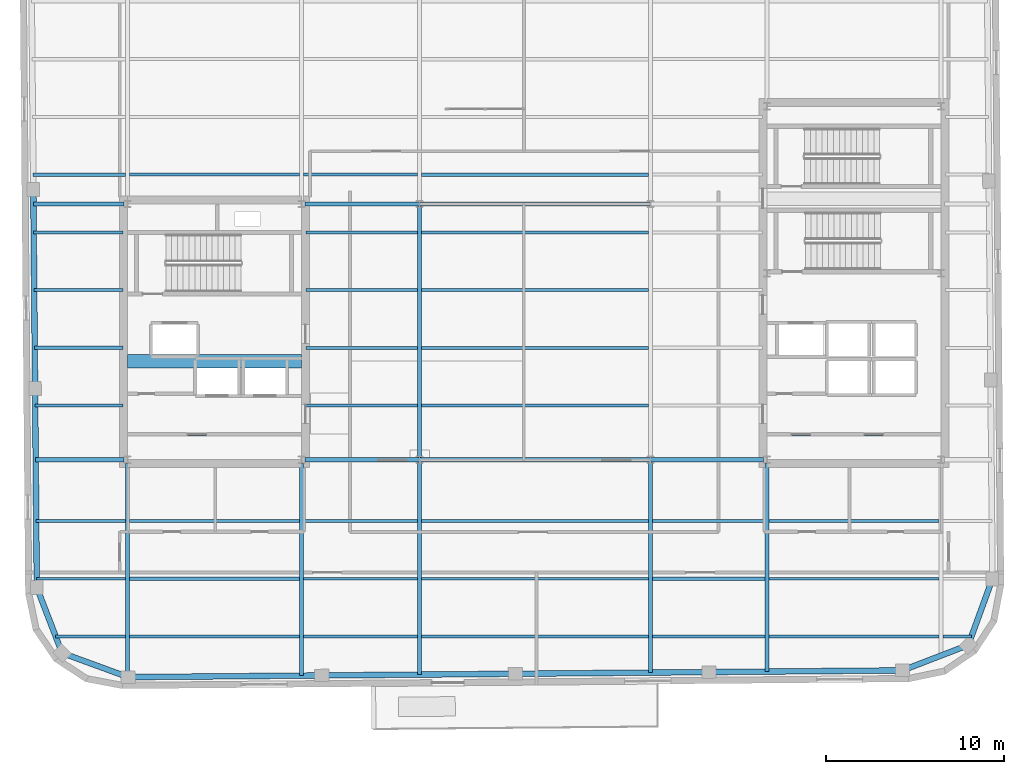
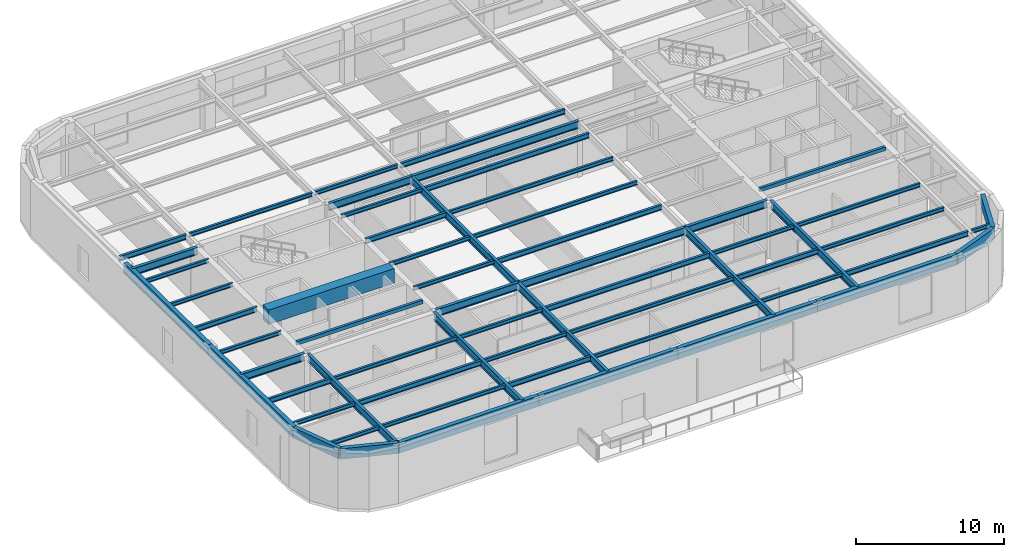
# One storey, part 4 of 13: 61 beams.
"""IFC4 building model written with IfcOpenShell, lengths in metres."""

from ifc_helpers import new_model, si_unit, direction, frame, origin, origin_2d, place, context, subcontext, project, spatial, rectangle, hollow_rectangle, i_section, extrude, material, material_profile, profile_set, type_object, element, save


model = new_model("IFC4")

# Units and contexts
model_context = context("Model", 3, precision=1e-05, world=origin(), true_north=direction((0.0, 1.0)))
body_context = subcontext(model_context, "Body", "Model", "MODEL_VIEW")
ifc_project = project(units=[si_unit("LENGTHUNIT", "METRE"), si_unit("AREAUNIT", "SQUARE_METRE"), si_unit("VOLUMEUNIT", "CUBIC_METRE"), si_unit("PLANEANGLEUNIT", "RADIAN"), si_unit("MASSUNIT", "GRAM", prefix="KILO")], contexts=[model_context])

# Site, building, storey
site_placement = place(None, origin())
site = spatial("IfcSite", under=ifc_project, at=site_placement, CompositionType="ELEMENT")
building_placement = place(site_placement, origin())
building = spatial("IfcBuilding", under=site, at=building_placement, Name="Kolvaren Arena Tower", CompositionType="ELEMENT")
storey_placement = place(building_placement, frame((0.0, 0.0, 312.39990234375)))
storey = spatial("IfcBuildingStorey", under=building, at=storey_placement, Name="L77", CompositionType="ELEMENT", Elevation=312.39990234375)

# Beams
ifc_material_1 = material(Name="Steel CSA G40.21 350W", Category="steel")
ifc_material_profile_1 = material_profile(ifc_material_1, i_section(OverallWidth=0.180908203125, OverallDepth=0.4169921875, WebThickness=0.010986328125, FlangeThickness=0.018310546875, FilletRadius=0.011962890625, at=origin_2d()), Name="W410x85")
ifc_profile_set_1 = profile_set([ifc_material_profile_1], Name="Steel CSA G40.21 350W")
beam_type_1 = type_object("IfcBeamType", Name="BEAM-F3", PredefinedType="BEAM", material=ifc_profile_set_1)
beam_1_placement = place(storey_placement, frame((24.464111328125, 9.5, 4.3515625), z_axis=(1.0, 0.0, 0.0), x_axis=(0.0, 1.0, 0.0)))
element("IfcBeam", 1, at=beam_1_placement, inside=storey, type_object=beam_type_1, Name="Composite Floor Beam (L77)", PredefinedType="BEAM", context=body_context, shape_type="SweptSolid", body=[
    extrude(i_section(OverallWidth=0.180908203125, OverallDepth=0.4169921875, WebThickness=0.010986328125, FlangeThickness=0.018310546875, FilletRadius=0.011962890625, at=origin_2d()), origin(), (0.0, 0.0, 1.0), 6.421875),
])
for number, where, z_axis, x_axis, name in (
    (2, (50.6640625, 9.5, 4.3515625), (1.0, 0.0, 0.0), (0.0, 1.0, 0.0), "Composite Floor Beam (L77)"),
    (3, (14.6640625, 12.75, 4.3515625), (1.0, 0.0, 0.0), (0.0, 1.0, 0.0), "Composite Floor Beam (L77)"),
):
    element("IfcBeam", number, at=place(storey_placement, frame(where, z_axis=z_axis, x_axis=x_axis)), inside=storey, type_object=beam_type_1, Name=name, PredefinedType="BEAM", context=body_context, shape_type="SweptSolid", body=[
        extrude(i_section(OverallWidth=0.180908203125, OverallDepth=0.4169921875, WebThickness=0.010986328125, FlangeThickness=0.018310546875, FilletRadius=0.011962890625, at=origin_2d()), origin(), (0.0, 0.0, 1.0), 9.572021484375),
    ])
beam_2_placement = place(storey_placement, frame((44.114013671875, 12.75, 4.3515625), z_axis=(1.0, 0.0, 0.0), x_axis=(0.0, 1.0, 0.0)))
element("IfcBeam", 4, at=beam_2_placement, inside=storey, type_object=beam_type_1, Name="Composite Floor Beam (L77)", PredefinedType="BEAM", context=body_context, shape_type="SweptSolid", body=[
    extrude(i_section(OverallWidth=0.180908203125, OverallDepth=0.4169921875, WebThickness=0.010986328125, FlangeThickness=0.018310546875, FilletRadius=0.011962890625, at=origin_2d()), origin(), (0.0, 0.0, 1.0), 6.322021484375),
])
beam_3_placement = place(storey_placement, frame((9.4150390625, 16.0, 4.3515625), z_axis=(1.0, 0.0, 0.0), x_axis=(0.0, 1.0, 0.0)))
element("IfcBeam", 5, at=beam_3_placement, inside=storey, type_object=beam_type_1, Name="Composite Floor Beam (L77)", PredefinedType="BEAM", context=body_context, shape_type="SweptSolid", body=[
    extrude(i_section(OverallWidth=0.180908203125, OverallDepth=0.4169921875, WebThickness=0.010986328125, FlangeThickness=0.018310546875, FilletRadius=0.011962890625, at=origin_2d()), origin(), (0.0, 0.0, 1.0), 5.02099609375),
])
for number, where, z_axis, x_axis, name in (
    (6, (31.114013671875, 16.0, 4.3515625), (1.0, 0.0, 0.0), (0.0, 1.0, 0.0), "Composite Floor Beam (L77)"),
    (7, (31.114013671875, 22.5, 4.3515625), (1.0, 0.0, 0.0), (0.0, 1.0, 0.0), "Composite Floor Beam (L77)"),
):
    element("IfcBeam", number, at=place(storey_placement, frame(where, z_axis=z_axis, x_axis=x_axis)), inside=storey, type_object=beam_type_1, Name=name, PredefinedType="BEAM", context=body_context, shape_type="SweptSolid", body=[
        extrude(i_section(OverallWidth=0.180908203125, OverallDepth=0.4169921875, WebThickness=0.010986328125, FlangeThickness=0.018310546875, FilletRadius=0.011962890625, at=origin_2d()), origin(), (0.0, 0.0, 1.0), 12.77197265625),
    ])
beam_4_placement = place(storey_placement, frame((9.330078125, 25.75, 4.3515625), z_axis=(1.0, 0.0, 0.0), x_axis=(0.0, 1.0, 0.0)))
element("IfcBeam", 8, at=beam_4_placement, inside=storey, type_object=beam_type_1, Name="Composite Floor Beam (L77)", PredefinedType="BEAM", context=body_context, shape_type="SweptSolid", body=[
    extrude(i_section(OverallWidth=0.180908203125, OverallDepth=0.4169921875, WebThickness=0.010986328125, FlangeThickness=0.018310546875, FilletRadius=0.011962890625, at=origin_2d()), origin(), (0.0, 0.0, 1.0), 4.974853515625),
])
beam_5_placement = place(storey_placement, frame((24.594970703125, 29.0, 4.3515625), z_axis=(1.0, 0.0, 0.0), x_axis=(0.0, 1.0, 0.0)))
element("IfcBeam", 9, at=beam_5_placement, inside=storey, type_object=beam_type_1, Name="Composite Floor Beam (L77)", PredefinedType="BEAM", context=body_context, shape_type="SweptSolid", body=[
    extrude(i_section(OverallWidth=0.180908203125, OverallDepth=0.4169921875, WebThickness=0.010986328125, FlangeThickness=0.018310546875, FilletRadius=0.011962890625, at=origin_2d()), origin(), (0.0, 0.0, 1.0), 6.291015625),
])
beam_6_placement = place(storey_placement, frame((31.114013671875, 32.25, 4.3515625), z_axis=(1.0, 0.0, 0.0), x_axis=(0.0, 1.0, 0.0)))
element("IfcBeam", 10, at=beam_6_placement, inside=storey, type_object=beam_type_1, Name="Composite Floor Beam (L77)", PredefinedType="BEAM", context=body_context, shape_type="SweptSolid", body=[
    extrude(i_section(OverallWidth=0.180908203125, OverallDepth=0.4169921875, WebThickness=0.010986328125, FlangeThickness=0.018310546875, FilletRadius=0.011962890625, at=origin_2d()), origin(), (0.0, 0.0, 1.0), 12.77197265625),
])
beam_7_placement = place(storey_placement, frame((9.244873046875, 35.5, 4.3515625), z_axis=(1.0, 0.0, 0.0), x_axis=(0.0, 1.0, 0.0)))
element("IfcBeam", 11, at=beam_7_placement, inside=storey, type_object=beam_type_1, Name="Composite Floor Beam (L77)", PredefinedType="BEAM", context=body_context, shape_type="SweptSolid", body=[
    extrude(i_section(OverallWidth=0.180908203125, OverallDepth=0.4169921875, WebThickness=0.010986328125, FlangeThickness=0.018310546875, FilletRadius=0.011962890625, at=origin_2d()), origin(), (0.0, 0.0, 1.0), 5.191162109375),
])
beam_8_placement = place(storey_placement, frame((31.114013671875, 35.5, 4.3515625), z_axis=(1.0, 0.0, 0.0), x_axis=(0.0, 1.0, 0.0)))
element("IfcBeam", 12, at=beam_8_placement, inside=storey, type_object=beam_type_1, Name="Composite Floor Beam (L77)", PredefinedType="BEAM", context=body_context, shape_type="SweptSolid", body=[
    extrude(i_section(OverallWidth=0.180908203125, OverallDepth=0.4169921875, WebThickness=0.010986328125, FlangeThickness=0.018310546875, FilletRadius=0.011962890625, at=origin_2d()), origin(), (0.0, 0.0, 1.0), 12.77197265625),
])
ifc_material_2 = material(Name="Concrete 60 MPa", Category="concrete")
ifc_material_profile_2 = material_profile(ifc_material_2, rectangle(XDim=0.75, YDim=1.199951171875, at=origin_2d()), Name="RC-750x1200")
ifc_profile_set_2 = profile_set([ifc_material_profile_2], Name="Concrete 60 MPa")
beam_type_2 = type_object("IfcBeamType", Name="CB-CORE-2", PredefinedType="BEAM", material=ifc_profile_set_2)
beam_9_placement = place(storey_placement, frame((14.550048828125, 25.0, 4.22998046875), z_axis=(1.0, 0.0, 0.0), x_axis=(0.0, 1.0, 0.0)))
element("IfcBeam", 13, at=beam_9_placement, inside=storey, type_object=beam_type_2, Name="West Core Coupling Beam (L77)", PredefinedType="BEAM", context=body_context, shape_type="SweptSolid", body=[
    extrude(rectangle(XDim=0.75, YDim=1.199951171875, at=origin_2d()), origin(), (0.0, 0.0, 1.0), 9.800048828125),
])
ifc_material_profile_3 = material_profile(ifc_material_1, i_section(OverallWidth=0.22802734375, OverallDepth=0.615966796875, WebThickness=0.013916015625, FlangeThickness=0.02490234375, FilletRadius=0.014892578125, at=origin_2d()), Name="W610x174")
ifc_profile_set_3 = profile_set([ifc_material_profile_3], Name="Steel CSA G40.21 350W")
beam_type_3 = type_object("IfcBeamType", Name="GIRD-T3", PredefinedType="BEAM", material=ifc_profile_set_3)
beam_10_placement = place(storey_placement, frame((9.385009765625, 19.449951171875, 4.252197265625), z_axis=(1.0, 0.0, 0.0), x_axis=(0.0, 1.0, 0.0)))
element("IfcBeam", 14, at=beam_10_placement, inside=storey, type_object=beam_type_3, Name="Primary Floor Girder (L77)", PredefinedType="BEAM", context=body_context, shape_type="SweptSolid", body=[
    extrude(i_section(OverallWidth=0.22802734375, OverallDepth=0.615966796875, WebThickness=0.013916015625, FlangeThickness=0.02490234375, FilletRadius=0.014892578125, at=origin_2d()), origin(), (0.0, 0.0, 1.0), 4.9599609375),
])
beam_11_placement = place(storey_placement, frame((24.554931640625, 19.449951171875, 4.252197265625), z_axis=(1.0, 0.0, 0.0), x_axis=(0.0, 1.0, 0.0)))
element("IfcBeam", 15, at=beam_11_placement, inside=storey, type_object=beam_type_3, Name="Primary Floor Girder (L77)", PredefinedType="BEAM", context=body_context, shape_type="SweptSolid", body=[
    extrude(i_section(OverallWidth=0.22802734375, OverallDepth=0.615966796875, WebThickness=0.013916015625, FlangeThickness=0.02490234375, FilletRadius=0.014892578125, at=origin_2d()), origin(), (0.0, 0.0, 1.0), 6.445068359375),
])
beam_12_placement = place(storey_placement, frame((31.0, 19.449951171875, 4.252197265625), z_axis=(1.0, 0.0, 0.0), x_axis=(0.0, 1.0, 0.0)))
element("IfcBeam", 16, at=beam_12_placement, inside=storey, type_object=beam_type_3, Name="Primary Floor Girder (L77)", PredefinedType="BEAM", context=body_context, shape_type="SweptSolid", body=[
    extrude(i_section(OverallWidth=0.22802734375, OverallDepth=0.615966796875, WebThickness=0.013916015625, FlangeThickness=0.02490234375, FilletRadius=0.014892578125, at=origin_2d()), origin(), (0.0, 0.0, 1.0), 13.0),
])
beam_13_placement = place(storey_placement, frame((44.0, 19.449951171875, 4.252197265625), z_axis=(1.0, 0.0, 0.0), x_axis=(0.0, 1.0, 0.0)))
element("IfcBeam", 17, at=beam_13_placement, inside=storey, type_object=beam_type_3, Name="Primary Floor Girder (L77)", PredefinedType="BEAM", context=body_context, shape_type="SweptSolid", body=[
    extrude(i_section(OverallWidth=0.22802734375, OverallDepth=0.615966796875, WebThickness=0.013916015625, FlangeThickness=0.02490234375, FilletRadius=0.014892578125, at=origin_2d()), origin(), (0.0, 0.0, 1.0), 6.344970703125),
])
beam_14_placement = place(storey_placement, frame((9.25927734375, 33.85009765625, 4.252197265625), z_axis=(1.0, 0.0, 0.0), x_axis=(0.0, 1.0, 0.0)))
element("IfcBeam", 18, at=beam_14_placement, inside=storey, type_object=beam_type_3, Name="Primary Floor Girder (L77)", PredefinedType="BEAM", context=body_context, shape_type="SweptSolid", body=[
    extrude(i_section(OverallWidth=0.22802734375, OverallDepth=0.615966796875, WebThickness=0.013916015625, FlangeThickness=0.02490234375, FilletRadius=0.014892578125, at=origin_2d()), origin(), (0.0, 0.0, 1.0), 5.085693359375),
])
beam_15_placement = place(storey_placement, frame((24.554931640625, 33.85009765625, 4.252197265625), z_axis=(1.0, 0.0, 0.0), x_axis=(0.0, 1.0, 0.0)))
element("IfcBeam", 19, at=beam_15_placement, inside=storey, type_object=beam_type_3, Name="Primary Floor Girder (L77)", PredefinedType="BEAM", context=body_context, shape_type="SweptSolid", body=[
    extrude(i_section(OverallWidth=0.22802734375, OverallDepth=0.615966796875, WebThickness=0.013916015625, FlangeThickness=0.02490234375, FilletRadius=0.014892578125, at=origin_2d()), origin(), (0.0, 0.0, 1.0), 6.445068359375),
])
beam_16_placement = place(storey_placement, frame((31.0, 33.85009765625, 4.252197265625), z_axis=(1.0, 0.0, 0.0), x_axis=(0.0, 1.0, 0.0)))
element("IfcBeam", 20, at=beam_16_placement, inside=storey, type_object=beam_type_3, Name="Primary Floor Girder (L77)", PredefinedType="BEAM", context=body_context, shape_type="SweptSolid", body=[
    extrude(i_section(OverallWidth=0.22802734375, OverallDepth=0.615966796875, WebThickness=0.013916015625, FlangeThickness=0.02490234375, FilletRadius=0.014892578125, at=origin_2d()), origin(), (0.0, 0.0, 1.0), 13.0),
])
beam_17_placement = place(storey_placement, frame((14.550048828125, 7.225830078125, 4.252197265625), z_axis=(0.0, 1.0, 0.0), x_axis=(-1.0, 0.0, 0.0)))
element("IfcBeam", 21, at=beam_17_placement, inside=storey, type_object=beam_type_3, Name="Primary Floor Girder (L77)", PredefinedType="BEAM", context=body_context, shape_type="SweptSolid", body=[
    extrude(i_section(OverallWidth=0.22802734375, OverallDepth=0.615966796875, WebThickness=0.013916015625, FlangeThickness=0.02490234375, FilletRadius=0.014892578125, at=origin_2d()), origin(), (0.0, 0.0, 1.0), 12.019287109375),
])
beam_18_placement = place(storey_placement, frame((24.35009765625, 7.295654296875, 4.252197265625), z_axis=(0.0, 1.0, 0.0), x_axis=(-1.0, 0.0, 0.0)))
element("IfcBeam", 22, at=beam_18_placement, inside=storey, type_object=beam_type_3, Name="Primary Floor Girder (L77)", PredefinedType="BEAM", context=body_context, shape_type="SweptSolid", body=[
    extrude(i_section(OverallWidth=0.22802734375, OverallDepth=0.615966796875, WebThickness=0.013916015625, FlangeThickness=0.02490234375, FilletRadius=0.014892578125, at=origin_2d()), origin(), (0.0, 0.0, 1.0), 11.949462890625),
])
beam_19_placement = place(storey_placement, frame((31.0, 7.353759765625, 4.252197265625), z_axis=(0.0, 1.0, 0.0), x_axis=(-1.0, 0.0, 0.0)))
element("IfcBeam", 23, at=beam_19_placement, inside=storey, type_object=beam_type_3, Name="Primary Floor Girder (L77)", PredefinedType="BEAM", context=body_context, shape_type="SweptSolid", body=[
    extrude(i_section(OverallWidth=0.22802734375, OverallDepth=0.615966796875, WebThickness=0.013916015625, FlangeThickness=0.02490234375, FilletRadius=0.014892578125, at=origin_2d()), origin(), (0.0, 0.0, 1.0), 12.09619140625),
])
beam_20_placement = place(storey_placement, frame((31.0, 19.449951171875, 4.252197265625), z_axis=(0.0, 1.0, 0.0), x_axis=(-1.0, 0.0, 0.0)))
element("IfcBeam", 24, at=beam_20_placement, inside=storey, type_object=beam_type_3, Name="Primary Floor Girder (L77)", PredefinedType="BEAM", context=body_context, shape_type="SweptSolid", body=[
    extrude(i_section(OverallWidth=0.22802734375, OverallDepth=0.615966796875, WebThickness=0.013916015625, FlangeThickness=0.02490234375, FilletRadius=0.014892578125, at=origin_2d()), origin(), (0.0, 0.0, 1.0), 14.400146484375),
])
beam_21_placement = place(storey_placement, frame((44.0, 7.46728515625, 4.252197265625), z_axis=(0.0, 1.0, 0.0), x_axis=(-1.0, 0.0, 0.0)))
element("IfcBeam", 25, at=beam_21_placement, inside=storey, type_object=beam_type_3, Name="Primary Floor Girder (L77)", PredefinedType="BEAM", context=body_context, shape_type="SweptSolid", body=[
    extrude(i_section(OverallWidth=0.22802734375, OverallDepth=0.615966796875, WebThickness=0.013916015625, FlangeThickness=0.02490234375, FilletRadius=0.014892578125, at=origin_2d()), origin(), (0.0, 0.0, 1.0), 11.982666015625),
])
beam_22_placement = place(storey_placement, frame((50.550048828125, 7.5244140625, 4.252197265625), z_axis=(0.0, 1.0, 0.0), x_axis=(-1.0, 0.0, 0.0)))
element("IfcBeam", 26, at=beam_22_placement, inside=storey, type_object=beam_type_3, Name="Primary Floor Girder (L77)", PredefinedType="BEAM", context=body_context, shape_type="SweptSolid", body=[
    extrude(i_section(OverallWidth=0.22802734375, OverallDepth=0.615966796875, WebThickness=0.013916015625, FlangeThickness=0.02490234375, FilletRadius=0.014892578125, at=origin_2d()), origin(), (0.0, 0.0, 1.0), 11.720703125),
])
ifc_material_profile_4 = material_profile(ifc_material_1, i_section(OverallWidth=0.1669921875, OverallDepth=0.31689453125, WebThickness=0.007568359375, FlangeThickness=0.01318359375, FilletRadius=0.010009765625, at=origin_2d()), Name="W310x52")
ifc_profile_set_4 = profile_set([ifc_material_profile_4], Name="Steel CSA G40.21 350W")
beam_type_4 = type_object("IfcBeamType", Name="JOIST-02", PredefinedType="JOIST", material=ifc_profile_set_4)
beam_23_placement = place(storey_placement, frame((10.5126953125, 9.5, 4.401611328125), z_axis=(1.0, 0.0, 0.0), x_axis=(0.0, 1.0, 0.0)))
element("IfcBeam", 27, at=beam_23_placement, inside=storey, type_object=beam_type_4, Name="Composite Floor Joist (L77)", PredefinedType="JOIST", context=body_context, shape_type="SweptSolid", body=[
    extrude(i_section(OverallWidth=0.1669921875, OverallDepth=0.31689453125, WebThickness=0.007568359375, FlangeThickness=0.01318359375, FilletRadius=0.010009765625, at=origin_2d()), origin(), (0.0, 0.0, 1.0), 3.92333984375),
])
beam_24_placement = place(storey_placement, frame((14.6640625, 9.5, 4.401611328125), z_axis=(1.0, 0.0, 0.0), x_axis=(0.0, 1.0, 0.0)))
element("IfcBeam", 28, at=beam_24_placement, inside=storey, type_object=beam_type_4, Name="Composite Floor Joist (L77)", PredefinedType="JOIST", context=body_context, shape_type="SweptSolid", body=[
    extrude(i_section(OverallWidth=0.1669921875, OverallDepth=0.31689453125, WebThickness=0.007568359375, FlangeThickness=0.01318359375, FilletRadius=0.010009765625, at=origin_2d()), origin(), (0.0, 0.0, 1.0), 9.572021484375),
])
beam_25_placement = place(storey_placement, frame((31.114013671875, 9.5, 4.401611328125), z_axis=(1.0, 0.0, 0.0), x_axis=(0.0, 1.0, 0.0)))
element("IfcBeam", 29, at=beam_25_placement, inside=storey, type_object=beam_type_4, Name="Composite Floor Joist (L77)", PredefinedType="JOIST", context=body_context, shape_type="SweptSolid", body=[
    extrude(i_section(OverallWidth=0.1669921875, OverallDepth=0.31689453125, WebThickness=0.007568359375, FlangeThickness=0.01318359375, FilletRadius=0.010009765625, at=origin_2d()), origin(), (0.0, 0.0, 1.0), 12.77197265625),
])
beam_26_placement = place(storey_placement, frame((44.114013671875, 9.5, 4.401611328125), z_axis=(1.0, 0.0, 0.0), x_axis=(0.0, 1.0, 0.0)))
element("IfcBeam", 30, at=beam_26_placement, inside=storey, type_object=beam_type_4, Name="Composite Floor Joist (L77)", PredefinedType="JOIST", context=body_context, shape_type="SweptSolid", body=[
    extrude(i_section(OverallWidth=0.1669921875, OverallDepth=0.31689453125, WebThickness=0.007568359375, FlangeThickness=0.01318359375, FilletRadius=0.010009765625, at=origin_2d()), origin(), (0.0, 0.0, 1.0), 6.322021484375),
])
beam_27_placement = place(storey_placement, frame((60.464111328125, 9.5, 4.401611328125), z_axis=(1.0, 0.0, 0.0), x_axis=(0.0, 1.0, 0.0)))
element("IfcBeam", 31, at=beam_27_placement, inside=storey, type_object=beam_type_4, Name="Composite Floor Joist (L77)", PredefinedType="JOIST", context=body_context, shape_type="SweptSolid", body=[
    extrude(i_section(OverallWidth=0.1669921875, OverallDepth=0.31689453125, WebThickness=0.007568359375, FlangeThickness=0.01318359375, FilletRadius=0.010009765625, at=origin_2d()), origin(), (0.0, 0.0, 1.0), 1.60009765625),
])
beam_28_placement = place(storey_placement, frame((9.443359375, 12.75, 4.401611328125), z_axis=(1.0, 0.0, 0.0), x_axis=(0.0, 1.0, 0.0)))
element("IfcBeam", 32, at=beam_28_placement, inside=storey, type_object=beam_type_4, Name="Composite Floor Joist (L77)", PredefinedType="JOIST", context=body_context, shape_type="SweptSolid", body=[
    extrude(i_section(OverallWidth=0.1669921875, OverallDepth=0.31689453125, WebThickness=0.007568359375, FlangeThickness=0.01318359375, FilletRadius=0.010009765625, at=origin_2d()), origin(), (0.0, 0.0, 1.0), 4.99267578125),
])
beam_29_placement = place(storey_placement, frame((24.464111328125, 12.75, 4.401611328125), z_axis=(1.0, 0.0, 0.0), x_axis=(0.0, 1.0, 0.0)))
element("IfcBeam", 33, at=beam_29_placement, inside=storey, type_object=beam_type_4, Name="Composite Floor Joist (L77)", PredefinedType="JOIST", context=body_context, shape_type="SweptSolid", body=[
    extrude(i_section(OverallWidth=0.1669921875, OverallDepth=0.31689453125, WebThickness=0.007568359375, FlangeThickness=0.01318359375, FilletRadius=0.010009765625, at=origin_2d()), origin(), (0.0, 0.0, 1.0), 6.421875),
])
beam_30_placement = place(storey_placement, frame((31.114013671875, 12.75, 4.401611328125), z_axis=(1.0, 0.0, 0.0), x_axis=(0.0, 1.0, 0.0)))
element("IfcBeam", 34, at=beam_30_placement, inside=storey, type_object=beam_type_4, Name="Composite Floor Joist (L77)", PredefinedType="JOIST", context=body_context, shape_type="SweptSolid", body=[
    extrude(i_section(OverallWidth=0.1669921875, OverallDepth=0.31689453125, WebThickness=0.007568359375, FlangeThickness=0.01318359375, FilletRadius=0.010009765625, at=origin_2d()), origin(), (0.0, 0.0, 1.0), 12.77197265625),
])
for number, where, z_axis, x_axis, name in (
    (35, (50.6640625, 12.75, 4.401611328125), (1.0, 0.0, 0.0), (0.0, 1.0, 0.0), "Composite Floor Joist (L77)"),
    (36, (14.6640625, 16.0, 4.401611328125), (1.0, 0.0, 0.0), (0.0, 1.0, 0.0), "Composite Floor Joist (L77)"),
):
    element("IfcBeam", number, at=place(storey_placement, frame(where, z_axis=z_axis, x_axis=x_axis)), inside=storey, type_object=beam_type_4, Name=name, PredefinedType="JOIST", context=body_context, shape_type="SweptSolid", body=[
        extrude(i_section(OverallWidth=0.1669921875, OverallDepth=0.31689453125, WebThickness=0.007568359375, FlangeThickness=0.01318359375, FilletRadius=0.010009765625, at=origin_2d()), origin(), (0.0, 0.0, 1.0), 9.572021484375),
    ])
beam_31_placement = place(storey_placement, frame((24.464111328125, 16.0, 4.401611328125), z_axis=(1.0, 0.0, 0.0), x_axis=(0.0, 1.0, 0.0)))
element("IfcBeam", 37, at=beam_31_placement, inside=storey, type_object=beam_type_4, Name="Composite Floor Joist (L77)", PredefinedType="JOIST", context=body_context, shape_type="SweptSolid", body=[
    extrude(i_section(OverallWidth=0.1669921875, OverallDepth=0.31689453125, WebThickness=0.007568359375, FlangeThickness=0.01318359375, FilletRadius=0.010009765625, at=origin_2d()), origin(), (0.0, 0.0, 1.0), 6.421875),
])
beam_32_placement = place(storey_placement, frame((44.114013671875, 16.0, 4.401611328125), z_axis=(1.0, 0.0, 0.0), x_axis=(0.0, 1.0, 0.0)))
element("IfcBeam", 38, at=beam_32_placement, inside=storey, type_object=beam_type_4, Name="Composite Floor Joist (L77)", PredefinedType="JOIST", context=body_context, shape_type="SweptSolid", body=[
    extrude(i_section(OverallWidth=0.1669921875, OverallDepth=0.31689453125, WebThickness=0.007568359375, FlangeThickness=0.01318359375, FilletRadius=0.010009765625, at=origin_2d()), origin(), (0.0, 0.0, 1.0), 6.322021484375),
])
beam_33_placement = place(storey_placement, frame((50.6640625, 16.0, 4.401611328125), z_axis=(1.0, 0.0, 0.0), x_axis=(0.0, 1.0, 0.0)))
element("IfcBeam", 39, at=beam_33_placement, inside=storey, type_object=beam_type_4, Name="Composite Floor Joist (L77)", PredefinedType="JOIST", context=body_context, shape_type="SweptSolid", body=[
    extrude(i_section(OverallWidth=0.1669921875, OverallDepth=0.31689453125, WebThickness=0.007568359375, FlangeThickness=0.01318359375, FilletRadius=0.010009765625, at=origin_2d()), origin(), (0.0, 0.0, 1.0), 9.572021484375),
])
beam_34_placement = place(storey_placement, frame((9.3583984375, 22.5, 4.401611328125), z_axis=(1.0, 0.0, 0.0), x_axis=(0.0, 1.0, 0.0)))
element("IfcBeam", 40, at=beam_34_placement, inside=storey, type_object=beam_type_4, Name="Composite Floor Joist (L77)", PredefinedType="JOIST", context=body_context, shape_type="SweptSolid", body=[
    extrude(i_section(OverallWidth=0.1669921875, OverallDepth=0.31689453125, WebThickness=0.007568359375, FlangeThickness=0.01318359375, FilletRadius=0.010009765625, at=origin_2d()), origin(), (0.0, 0.0, 1.0), 4.946533203125),
])
for number, where, z_axis, x_axis, name in (
    (41, (24.594970703125, 22.5, 4.401611328125), (1.0, 0.0, 0.0), (0.0, 1.0, 0.0), "Composite Floor Joist (L77)"),
    (42, (24.594970703125, 25.75, 4.401611328125), (1.0, 0.0, 0.0), (0.0, 1.0, 0.0), "Composite Floor Joist (L77)"),
):
    element("IfcBeam", number, at=place(storey_placement, frame(where, z_axis=z_axis, x_axis=x_axis)), inside=storey, type_object=beam_type_4, Name=name, PredefinedType="JOIST", context=body_context, shape_type="SweptSolid", body=[
        extrude(i_section(OverallWidth=0.1669921875, OverallDepth=0.31689453125, WebThickness=0.007568359375, FlangeThickness=0.01318359375, FilletRadius=0.010009765625, at=origin_2d()), origin(), (0.0, 0.0, 1.0), 6.291015625),
    ])
beam_35_placement = place(storey_placement, frame((31.114013671875, 25.75, 4.401611328125), z_axis=(1.0, 0.0, 0.0), x_axis=(0.0, 1.0, 0.0)))
element("IfcBeam", 43, at=beam_35_placement, inside=storey, type_object=beam_type_4, Name="Composite Floor Joist (L77)", PredefinedType="JOIST", context=body_context, shape_type="SweptSolid", body=[
    extrude(i_section(OverallWidth=0.1669921875, OverallDepth=0.31689453125, WebThickness=0.007568359375, FlangeThickness=0.01318359375, FilletRadius=0.010009765625, at=origin_2d()), origin(), (0.0, 0.0, 1.0), 12.77197265625),
])
beam_36_placement = place(storey_placement, frame((9.301513671875, 29.0, 4.401611328125), z_axis=(1.0, 0.0, 0.0), x_axis=(0.0, 1.0, 0.0)))
element("IfcBeam", 44, at=beam_36_placement, inside=storey, type_object=beam_type_4, Name="Composite Floor Joist (L77)", PredefinedType="JOIST", context=body_context, shape_type="SweptSolid", body=[
    extrude(i_section(OverallWidth=0.1669921875, OverallDepth=0.31689453125, WebThickness=0.007568359375, FlangeThickness=0.01318359375, FilletRadius=0.010009765625, at=origin_2d()), origin(), (0.0, 0.0, 1.0), 5.00341796875),
])
beam_37_placement = place(storey_placement, frame((31.114013671875, 29.0, 4.401611328125), z_axis=(1.0, 0.0, 0.0), x_axis=(0.0, 1.0, 0.0)))
element("IfcBeam", 45, at=beam_37_placement, inside=storey, type_object=beam_type_4, Name="Composite Floor Joist (L77)", PredefinedType="JOIST", context=body_context, shape_type="SweptSolid", body=[
    extrude(i_section(OverallWidth=0.1669921875, OverallDepth=0.31689453125, WebThickness=0.007568359375, FlangeThickness=0.01318359375, FilletRadius=0.010009765625, at=origin_2d()), origin(), (0.0, 0.0, 1.0), 12.77197265625),
])
beam_38_placement = place(storey_placement, frame((9.273193359375, 32.25, 4.401611328125), z_axis=(1.0, 0.0, 0.0), x_axis=(0.0, 1.0, 0.0)))
element("IfcBeam", 46, at=beam_38_placement, inside=storey, type_object=beam_type_4, Name="Composite Floor Joist (L77)", PredefinedType="JOIST", context=body_context, shape_type="SweptSolid", body=[
    extrude(i_section(OverallWidth=0.1669921875, OverallDepth=0.31689453125, WebThickness=0.007568359375, FlangeThickness=0.01318359375, FilletRadius=0.010009765625, at=origin_2d()), origin(), (0.0, 0.0, 1.0), 5.03173828125),
])
beam_39_placement = place(storey_placement, frame((24.594970703125, 32.25, 4.401611328125), z_axis=(1.0, 0.0, 0.0), x_axis=(0.0, 1.0, 0.0)))
element("IfcBeam", 47, at=beam_39_placement, inside=storey, type_object=beam_type_4, Name="Composite Floor Joist (L77)", PredefinedType="JOIST", context=body_context, shape_type="SweptSolid", body=[
    extrude(i_section(OverallWidth=0.1669921875, OverallDepth=0.31689453125, WebThickness=0.007568359375, FlangeThickness=0.01318359375, FilletRadius=0.010009765625, at=origin_2d()), origin(), (0.0, 0.0, 1.0), 6.291015625),
])
beam_40_placement = place(storey_placement, frame((14.6640625, 35.5, 4.401611328125), z_axis=(1.0, 0.0, 0.0), x_axis=(0.0, 1.0, 0.0)))
element("IfcBeam", 48, at=beam_40_placement, inside=storey, type_object=beam_type_4, Name="Composite Floor Joist (L77)", PredefinedType="JOIST", context=body_context, shape_type="SweptSolid", body=[
    extrude(i_section(OverallWidth=0.1669921875, OverallDepth=0.31689453125, WebThickness=0.007568359375, FlangeThickness=0.01318359375, FilletRadius=0.010009765625, at=origin_2d()), origin(), (0.0, 0.0, 1.0), 9.572021484375),
])
beam_41_placement = place(storey_placement, frame((24.464111328125, 35.5, 4.401611328125), z_axis=(1.0, 0.0, 0.0), x_axis=(0.0, 1.0, 0.0)))
element("IfcBeam", 49, at=beam_41_placement, inside=storey, type_object=beam_type_4, Name="Composite Floor Joist (L77)", PredefinedType="JOIST", context=body_context, shape_type="SweptSolid", body=[
    extrude(i_section(OverallWidth=0.1669921875, OverallDepth=0.31689453125, WebThickness=0.007568359375, FlangeThickness=0.01318359375, FilletRadius=0.010009765625, at=origin_2d()), origin(), (0.0, 0.0, 1.0), 6.421875),
])
ifc_material_profile_5 = material_profile(ifc_material_1, hollow_rectangle(XDim=0.199951171875, YDim=0.300048828125, WallThickness=0.011962890625, at=origin_2d()), Name="HSS 300x200x12")
ifc_profile_set_5 = profile_set([ifc_material_profile_5], Name="Steel CSA G40.21 350W")
beam_type_5 = type_object("IfcBeamType", Name="LINT-01", PredefinedType="LINTEL", material=ifc_profile_set_5)
for number, where, z_axis, x_axis, name in (
    (50, (14.550048828125, 20.8798828125, 4.41015625), (1.0, 0.0, 0.0), (0.0, 1.0, 0.0), "West Lift Lobby Portal Lintel (L77)"),
    (51, (50.550048828125, 20.8798828125, 4.41015625), (1.0, 0.0, 0.0), (0.0, 1.0, 0.0), "East Lift Lobby Portal Lintel (L77)"),
):
    element("IfcBeam", number, at=place(storey_placement, frame(where, z_axis=z_axis, x_axis=x_axis)), inside=storey, type_object=beam_type_5, Name=name, PredefinedType="LINTEL", context=body_context, shape_type="SweptSolid", body=[
        extrude(hollow_rectangle(XDim=0.199951171875, YDim=0.300048828125, WallThickness=0.011962890625, at=origin_2d()), origin(), (0.0, 0.0, 1.0), 9.800048828125),
    ])
ifc_material_3 = material(Name="Steel CSA G40.21 350WT", Category="steel")
ifc_material_profile_6 = material_profile(ifc_material_3, hollow_rectangle(XDim=0.320068359375, YDim=0.860107421875, WallThickness=0.01806640625, at=origin_2d()), Name="HSS 860x320x18")
ifc_profile_set_6 = profile_set([ifc_material_profile_6], Name="Steel CSA G40.21 350WT")
beam_type_6 = type_object("IfcBeamType", Name="SPAND-02", PredefinedType="SPANDREL", material=ifc_profile_set_6)
for number, where, z_axis, x_axis, name in (
    (52, (14.591796875, 7.210693359375, 4.130126953125), (0.999962042393, 0.008712851036, 0.0), (-0.008712851036, 0.999962042393, 0.0), "Perimeter Spandrel Beam (L77)"),
    (53, (25.491455078125, 7.3056640625, 4.130126953125), (0.999961846999, 0.008735247404, 0.0), (-0.008735247404, 0.999961846999, 0.0), "Perimeter Spandrel Beam (L77)"),
    (54, (36.39111328125, 7.40087890625, 4.130126953125), (0.999961846999, 0.008735247404, 0.0), (-0.008735247404, 0.999961846999, 0.0), "Perimeter Spandrel Beam (L77)"),
):
    element("IfcBeam", number, at=place(storey_placement, frame(where, z_axis=z_axis, x_axis=x_axis)), inside=storey, type_object=beam_type_6, Name=name, PredefinedType="SPANDREL", context=body_context, shape_type="SweptSolid", body=[
        extrude(hollow_rectangle(XDim=0.320068359375, YDim=0.860107421875, WallThickness=0.01806640625, at=origin_2d()), origin(), (0.0, 0.0, 1.0), 10.900146484375),
    ])
beam_42_placement = place(storey_placement, frame((47.290771484375, 7.49609375, 4.130126953125), z_axis=(0.999962040693, 0.008713046184, 0.0), x_axis=(-0.008713046184, 0.999962040693, 0.0)))
element("IfcBeam", 55, at=beam_42_placement, inside=storey, type_object=beam_type_6, Name="Perimeter Spandrel Beam (L77)", PredefinedType="SPANDREL", context=body_context, shape_type="SweptSolid", body=[
    extrude(hollow_rectangle(XDim=0.320068359375, YDim=0.860107421875, WallThickness=0.01806640625, at=origin_2d()), origin(), (0.0, 0.0, 1.0), 10.89990234375),
])
for number, where, z_axis, x_axis, name in (
    (56, (58.190185546875, 7.591064453125, 4.130126953125), (0.933189846698, 0.359383792094, 0.0), (-0.359383792094, 0.933189846698, 0.0), "Perimeter Spandrel Beam (L77)"),
    (57, (61.88671875, 9.0146484375, 4.130126953125), (0.343059102458, 0.939313819882, 0.0), (-0.939313819882, 0.343059102458, 0.0), "Perimeter Spandrel Beam (L77)"),
):
    element("IfcBeam", number, at=place(storey_placement, frame(where, z_axis=z_axis, x_axis=x_axis)), inside=storey, type_object=beam_type_6, Name=name, PredefinedType="SPANDREL", context=body_context, shape_type="SweptSolid", body=[
        extrude(hollow_rectangle(XDim=0.320068359375, YDim=0.860107421875, WallThickness=0.01806640625, at=origin_2d()), origin(), (0.0, 0.0, 1.0), 3.961181640625),
    ])
beam_43_placement = place(storey_placement, frame((9.252197265625, 34.6650390625, 4.130126953125), z_axis=(0.008719394723, -0.999961985355, 0.0), x_axis=(0.999961985355, 0.008719394723, 0.0)))
element("IfcBeam", 58, at=beam_43_placement, inside=storey, type_object=beam_type_6, Name="Perimeter Spandrel Beam (L77)", PredefinedType="SPANDREL", context=body_context, shape_type="SweptSolid", body=[
    extrude(hollow_rectangle(XDim=0.320068359375, YDim=0.860107421875, WallThickness=0.01806640625, at=origin_2d()), origin(), (0.0, 0.0, 1.0), 11.199951171875),
])
beam_44_placement = place(storey_placement, frame((9.349853515625, 23.465576171875, 4.130126953125), z_axis=(0.008719204665, -0.999961987013, 0.0), x_axis=(0.999961987013, 0.008719204665, 0.0)))
element("IfcBeam", 59, at=beam_44_placement, inside=storey, type_object=beam_type_6, Name="Perimeter Spandrel Beam (L77)", PredefinedType="SPANDREL", context=body_context, shape_type="SweptSolid", body=[
    extrude(hollow_rectangle(XDim=0.320068359375, YDim=0.860107421875, WallThickness=0.01806640625, at=origin_2d()), origin(), (0.0, 0.0, 1.0), 11.2001953125),
])
beam_45_placement = place(storey_placement, frame((9.447509765625, 12.265869140625, 4.130126953125), z_axis=(0.359383792094, -0.933189846698, 0.0), x_axis=(0.933189846698, 0.359383792094, 0.0)))
element("IfcBeam", 60, at=beam_45_placement, inside=storey, type_object=beam_type_6, Name="Perimeter Spandrel Beam (L77)", PredefinedType="SPANDREL", context=body_context, shape_type="SweptSolid", body=[
    extrude(hollow_rectangle(XDim=0.320068359375, YDim=0.860107421875, WallThickness=0.01806640625, at=origin_2d()), origin(), (0.0, 0.0, 1.0), 3.961181640625),
])
beam_46_placement = place(storey_placement, frame((10.87109375, 8.5693359375, 4.130126953125), z_axis=(0.939333679924, -0.343004719736, 0.0), x_axis=(0.343004719736, 0.939333679924, 0.0)))
element("IfcBeam", 61, at=beam_46_placement, inside=storey, type_object=beam_type_6, Name="Perimeter Spandrel Beam (L77)", PredefinedType="SPANDREL", context=body_context, shape_type="SweptSolid", body=[
    extrude(hollow_rectangle(XDim=0.320068359375, YDim=0.860107421875, WallThickness=0.01806640625, at=origin_2d()), origin(), (0.0, 0.0, 1.0), 3.9609375),
])

save(model, "model.ifc")
